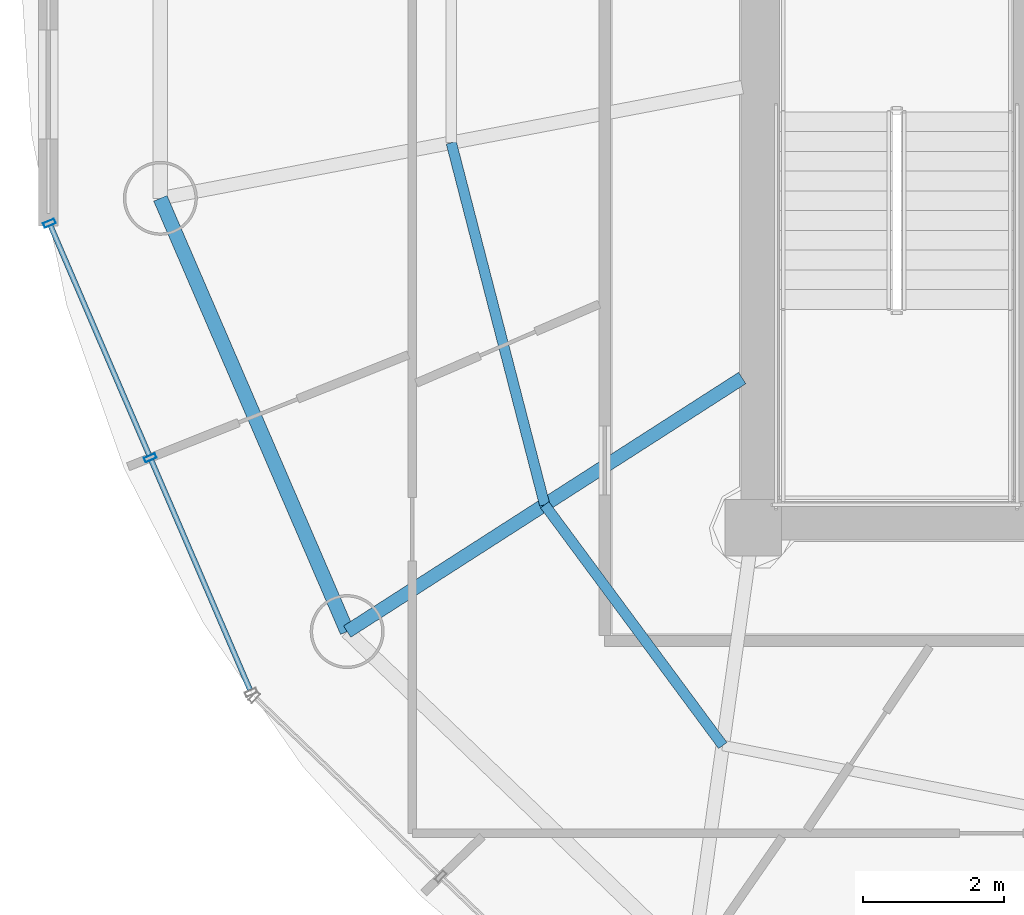
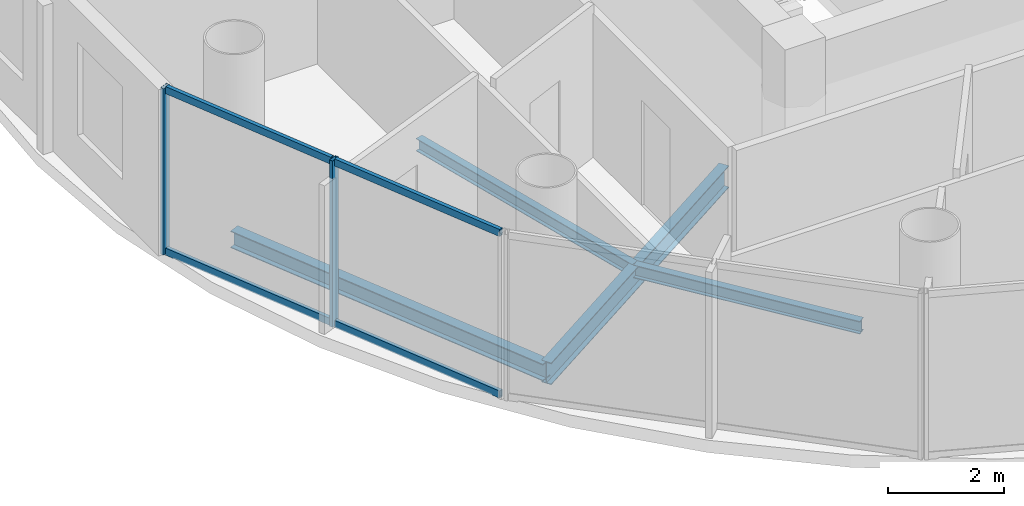
# One storey, part 4 of 23: 6 members, 4 beams, 1 element without a shape of its own.
"""IFC4 building model written with IfcOpenShell, lengths in metres."""

from ifc_helpers import new_model, si_unit, direction, frame, origin, origin_2d, place, context, subcontext, project, spatial, hollow_rectangle, i_section, extrude, source, transform, mapped, material, material_profile, profile_set, type_object, element, aggregate, save


model = new_model("IFC4")

# Units and contexts
model_context = context("Model", 3, precision=1e-05, world=origin(), true_north=direction((-0.2419218956, 0.970295726276)))
body_context = subcontext(model_context, "Body", "Model", "MODEL_VIEW")
ifc_project = project(units=[si_unit("LENGTHUNIT", "METRE"), si_unit("AREAUNIT", "SQUARE_METRE"), si_unit("VOLUMEUNIT", "CUBIC_METRE"), si_unit("PLANEANGLEUNIT", "RADIAN"), si_unit("MASSUNIT", "GRAM", prefix="KILO")], contexts=[model_context])

# Site, building, storey
site_placement = place(None, origin())
site = spatial("IfcSite", under=ifc_project, at=site_placement, CompositionType="ELEMENT")
building_placement = place(site_placement, origin())
building = spatial("IfcBuilding", under=site, at=building_placement, Name="Cobrevalo Terracotta Tower", CompositionType="ELEMENT")
storey_placement = place(building_placement, frame((0.0, 0.0, 266.949951171875)))
storey = spatial("IfcBuildingStorey", under=building, at=storey_placement, Name="L70", CompositionType="ELEMENT", Elevation=266.949951171875)

# Beams
ifc_material_1 = material(Name="Steel S355", Category="steel")
ifc_material_profile_1 = material_profile(ifc_material_1, i_section(OverallWidth=0.19091796875, OverallDepth=0.4599609375, WebThickness=0.010009765625, FlangeThickness=0.01611328125, at=origin_2d()), Name="W 460x82")
ifc_profile_set_1 = profile_set([ifc_material_profile_1], Name="Steel S355")
beam_type_1 = type_object("IfcBeamType", Name="Structural Beam W 460x82 (Steel S355)", PredefinedType="BEAM", material=ifc_profile_set_1)
beam_1_placement = place(storey_placement, frame((23.241455078125, 17.32763671875, -0.489990234375), z_axis=(0.84157615512, 0.540138477739, 0.0), x_axis=(-0.540138477739, 0.84157615512, 0.0)))
element("IfcBeam", 1, at=beam_1_placement, inside=storey, type_object=beam_type_1, Name="L70 radial floor girder 10", PredefinedType="BEAM", context=body_context, shape_type="SweptSolid", body=[
    extrude(i_section(OverallWidth=0.19091796875, OverallDepth=0.4599609375, WebThickness=0.010009765625, FlangeThickness=0.01611328125, at=origin_2d()), origin(), (0.0, 0.0, 1.0), 6.658447265625),
])
ifc_material_profile_2 = material_profile(ifc_material_1, i_section(OverallWidth=0.14794921875, OverallDepth=0.26611328125, WebThickness=0.007568359375, FlangeThickness=0.012939453125, at=origin_2d()), Name="W 250x44.8")
ifc_profile_set_2 = profile_set([ifc_material_profile_2], Name="Steel S355")
beam_type_2 = type_object("IfcBeamType", Name="Structural Joist W 250x44.8 (Steel S355)", PredefinedType="JOIST", material=ifc_profile_set_2)
beam_2_placement = place(storey_placement, frame((24.718017578125, 24.26220703125, -0.39306640625), z_axis=(0.249816773293, -0.968293126993, 0.0), x_axis=(0.968293126993, 0.249816773293, 0.0)))
element("IfcBeam", 2, at=beam_2_placement, inside=storey, type_object=beam_type_2, Name="L70 circumferential secondary floor joist 09", PredefinedType="JOIST", context=body_context, shape_type="SweptSolid", body=[
    extrude(i_section(OverallWidth=0.14794921875, OverallDepth=0.26611328125, WebThickness=0.007568359375, FlangeThickness=0.012939453125, at=origin_2d()), origin(), (0.0, 0.0, 1.0), 5.3046875),
])
beam_3_placement = place(storey_placement, frame((26.043212890625, 19.125732421875, -0.39306640625), z_axis=(0.594799916617, -0.803873783123, 0.0), x_axis=(0.803873783123, 0.594799916617, 0.0)))
element("IfcBeam", 3, at=beam_3_placement, inside=storey, type_object=beam_type_2, Name="L70 circumferential secondary floor joist 10", PredefinedType="JOIST", context=body_context, shape_type="SweptSolid", body=[
    extrude(i_section(OverallWidth=0.14794921875, OverallDepth=0.26611328125, WebThickness=0.007568359375, FlangeThickness=0.012939453125, at=origin_2d()), origin(), (0.0, 0.0, 1.0), 4.2470703125),
])
ifc_material_profile_3 = material_profile(ifc_material_1, i_section(OverallWidth=0.205078125, OverallDepth=0.35400390625, WebThickness=0.009521484375, FlangeThickness=0.016845703125, at=origin_2d()), Name="W 360x79")
ifc_profile_set_3 = profile_set([ifc_material_profile_3], Name="Steel S355")
beam_type_3 = type_object("IfcBeamType", Name="Structural Spandrel W 360x79 (Steel S355)", PredefinedType="SPANDREL", material=ifc_profile_set_3)
beam_4_placement = place(storey_placement, frame((20.591064453125, 23.4736328125, -0.43701171875), z_axis=(0.395987390706, -0.918255948198, 0.0), x_axis=(0.918255948198, 0.395987390706, 0.0)))
element("IfcBeam", 4, at=beam_4_placement, inside=storey, type_object=beam_type_3, Name="L70 perimeter ring spandrel 09", PredefinedType="SPANDREL", context=body_context, shape_type="SweptSolid", body=[
    extrude(i_section(OverallWidth=0.205078125, OverallDepth=0.35400390625, WebThickness=0.009521484375, FlangeThickness=0.016845703125, at=origin_2d()), origin(), (0.0, 0.0, 1.0), 6.693115234375),
])

# Curtain wall, members
ifc_material_2 = material(Name="Anodized aluminium", Category="aluminium")
curtain_wall_type = type_object("IfcCurtainWallType", Name="Upper-tower triple-glazed penthouse curtain wall CW-U3", PredefinedType="NOTDEFINED", material=ifc_material_2)
curtain_wall_placement = place(storey_placement, origin())
curtain_wall = element("IfcCurtainWall", 5, at=curtain_wall_placement, inside=storey, type_object=curtain_wall_type, Name="L70 curtain wall CW-L70-S09", PredefinedType="NOTDEFINED")
ifc_material_profile_4 = material_profile(ifc_material_2, hollow_rectangle(XDim=0.070068359375, YDim=0.169921875, WallThickness=0.00439453125, at=origin_2d()), Name="CWM 70x170")
ifc_profile_set_4 = profile_set([ifc_material_profile_4], Name="Anodized aluminium")
member_type_1 = type_object("IfcMemberType", Name="Upper tower unitised mullion 70x170", PredefinedType="MULLION", material=ifc_profile_set_4)
shared_shape_1 = source(origin(), body_context, "Body", "SweptSolid", [
    extrude(hollow_rectangle(XDim=0.070068359375, YDim=0.169921875, WallThickness=0.00439453125, at=origin_2d()), origin(), (0.0, 0.0, 1.0), 3.489990234375),
])
member_1_placement = place(storey_placement, frame((19.01806640625, 23.120849609375, 0.0), z_axis=(0.0, 0.0, 1.0), x_axis=(0.39482403454, -0.91875675875, 0.0)))
member_1 = element("IfcMember", 6, at=member_1_placement, type_object=member_type_1, Name="CW-L70-S09 vertical mullion 01", PredefinedType="MULLION", context=body_context, shape_type="MappedRepresentation", body=[
    mapped(shared_shape_1, transform((0.0, 0.0, 0.0), scale=1.0)),
])
member_2_placement = place(storey_placement, frame((20.4482421875, 19.79248046875, 0.0), z_axis=(0.0, 0.0, 1.0), x_axis=(0.39482403454, -0.91875675875, 0.0)))
member_2 = element("IfcMember", 7, at=member_2_placement, type_object=member_type_1, Name="CW-L70-S09 vertical mullion 02", PredefinedType="MULLION", context=body_context, shape_type="MappedRepresentation", body=[
    mapped(shared_shape_1, transform((0.0, 0.0, 0.0), scale=1.0)),
])
ifc_material_profile_5 = material_profile(ifc_material_2, hollow_rectangle(XDim=0.074951171875, YDim=0.14990234375, WallThickness=0.00439453125, at=origin_2d()), Name="CWT 75x150")
ifc_profile_set_5 = profile_set([ifc_material_profile_5], Name="Anodized aluminium")
member_type_2 = type_object("IfcMemberType", Name="Tower unitised aluminium transom 75x150", PredefinedType="USERDEFINED", material=ifc_profile_set_5)
shared_shape_2 = source(origin(), body_context, "Body", "SweptSolid", [
    extrude(hollow_rectangle(XDim=0.074951171875, YDim=0.14990234375, WallThickness=0.00439453125, at=origin_2d()), origin(), (0.0, 0.0, 1.0), 3.542724609375),
])
member_3_placement = place(storey_placement, frame((19.03369140625, 23.084228515625, 0.050048828125), z_axis=(0.394867226589, -0.918738196314, 0.0), x_axis=(0.918738196314, 0.394867226589, 0.0)))
member_3 = element("IfcMember", 8, at=member_3_placement, type_object=member_type_2, Name="CW-L70-S09 transom B01-T1", ObjectType="TRANSOM", PredefinedType="USERDEFINED", context=body_context, shape_type="MappedRepresentation", body=[
    mapped(shared_shape_2, transform((0.0, 0.0, 0.0), scale=1.0)),
])
member_4_placement = place(storey_placement, frame((19.03369140625, 23.084228515625, 3.43994140625), z_axis=(0.394867226589, -0.918738196314, 0.0), x_axis=(0.918738196314, 0.394867226589, 0.0)))
member_4 = element("IfcMember", 9, at=member_4_placement, type_object=member_type_2, Name="CW-L70-S09 transom B01-T2", ObjectType="TRANSOM", PredefinedType="USERDEFINED", context=body_context, shape_type="MappedRepresentation", body=[
    mapped(shared_shape_2, transform((0.0, 0.0, 0.0), scale=1.0)),
])
member_5_placement = place(storey_placement, frame((20.464111328125, 19.755859375, 0.050048828125), z_axis=(0.394809056766, -0.918763195114, 0.0), x_axis=(0.918763195114, 0.394809056766, 0.0)))
member_5 = element("IfcMember", 10, at=member_5_placement, type_object=member_type_2, Name="CW-L70-S09 transom B02-T1", ObjectType="TRANSOM", PredefinedType="USERDEFINED", context=body_context, shape_type="MappedRepresentation", body=[
    mapped(shared_shape_2, transform((0.0, 0.0, 0.0), scale=1.0)),
])
member_6_placement = place(storey_placement, frame((20.464111328125, 19.755859375, 3.43994140625), z_axis=(0.394809056766, -0.918763195114, 0.0), x_axis=(0.918763195114, 0.394809056766, 0.0)))
member_6 = element("IfcMember", 11, at=member_6_placement, type_object=member_type_2, Name="CW-L70-S09 transom B02-T2", ObjectType="TRANSOM", PredefinedType="USERDEFINED", context=body_context, shape_type="MappedRepresentation", body=[
    mapped(shared_shape_2, transform((0.0, 0.0, 0.0), scale=1.0)),
])
aggregate(curtain_wall, [member_1, member_2, member_3, member_4, member_5, member_6])

save(model, "model.ifc")
